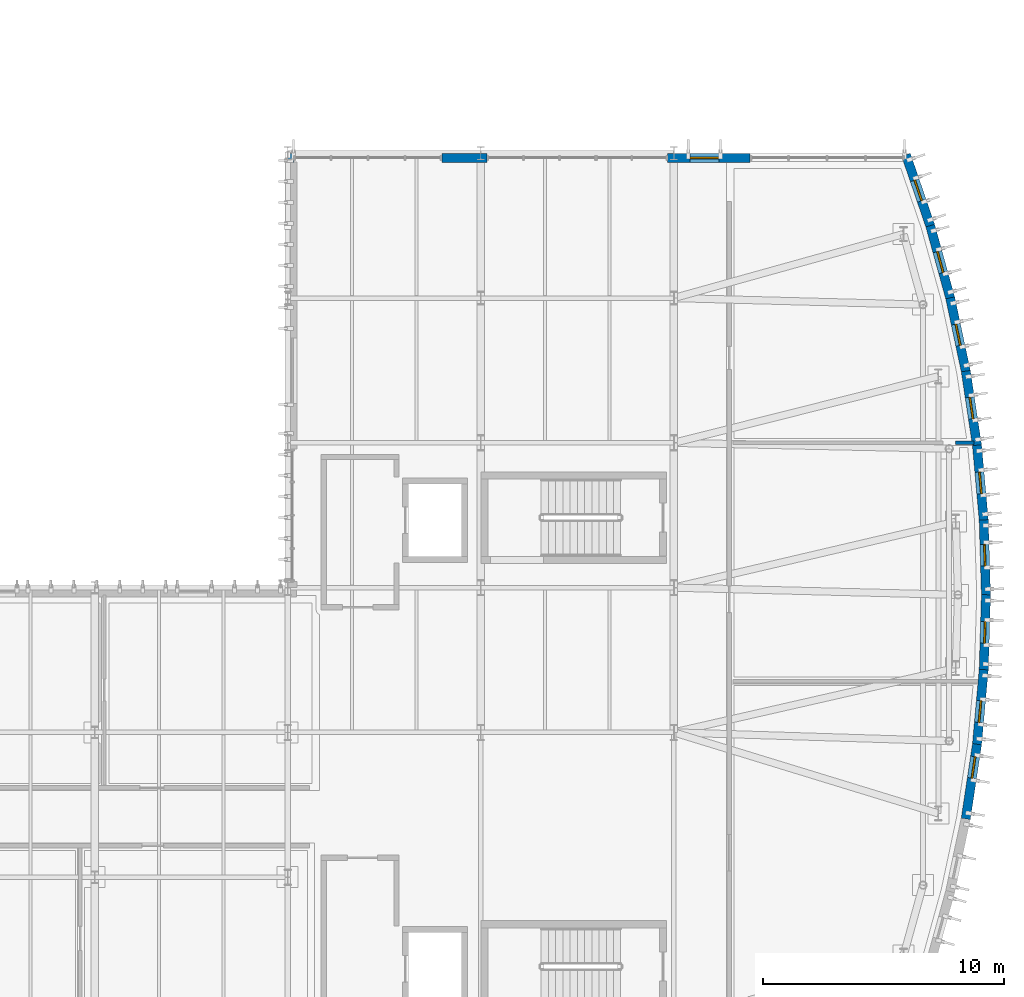
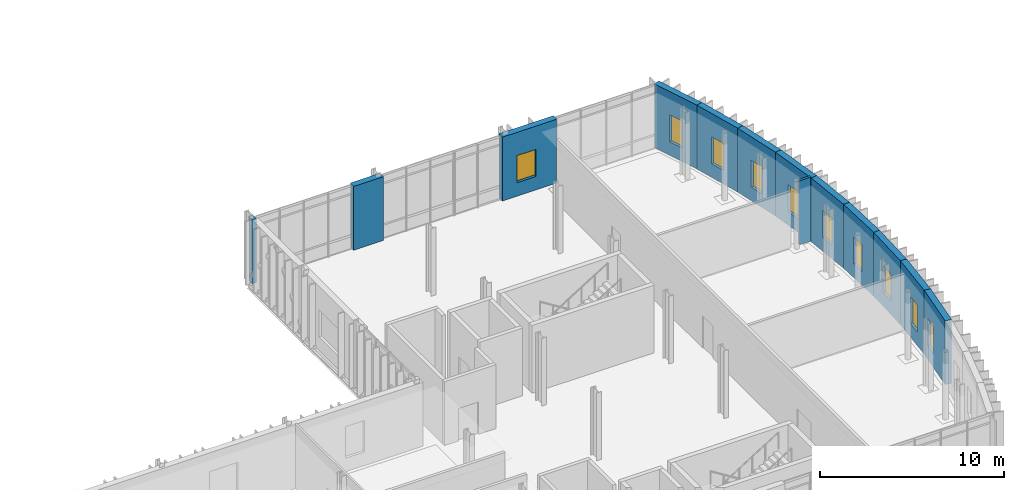
# One storey, part 73 of 100: 13 walls, 10 windows, 10 openings.
"""IFC4 building model written with IfcOpenShell, lengths in metres."""

from ifc_helpers import new_model, si_unit, direction, frame, frame_2d, origin, place, context, subcontext, project, spatial, rectangle, extrude, material, layer, layer_set, type_object, element, fill, save


model = new_model("IFC4")

# Units and contexts
model_context = context("Model", 3, precision=1e-05, world=origin(), true_north=direction((0.0, 1.0)))
body_context = subcontext(model_context, "Body", "Model", "MODEL_VIEW")
ifc_project = project(units=[si_unit("LENGTHUNIT", "METRE"), si_unit("AREAUNIT", "SQUARE_METRE"), si_unit("VOLUMEUNIT", "CUBIC_METRE"), si_unit("PLANEANGLEUNIT", "RADIAN"), si_unit("MASSUNIT", "GRAM", prefix="KILO")], contexts=[model_context])

# Site, building, storey
site_placement = place(None, origin())
site = spatial("IfcSite", under=ifc_project, at=site_placement, CompositionType="ELEMENT")
building_placement = place(site_placement, origin())
building = spatial("IfcBuilding", under=site, at=building_placement, Name="Cymarion Research Institute", CompositionType="ELEMENT")
storey_placement = place(building_placement, frame((0.0, 0.0, 4.800048828125)))
storey = spatial("IfcBuildingStorey", under=building, at=storey_placement, Name="L01", CompositionType="ELEMENT", Elevation=4.800048828125)

# Wall, opening, window
ifc_material_1 = material(Name="Precast concrete C40/50", Category="concrete")
ifc_layer_1 = layer(ifc_material_1, 0.3798828125)
ifc_layer_set_1 = layer_set([ifc_layer_1], Name="Precast concrete C40/50")
wall_type_1 = type_object("IfcWallType", Name="EXTERIOR WALL EW-PC380 380MM", PredefinedType="SOLIDWALL", material=ifc_layer_set_1)
wall_1_placement = place(storey_placement, frame((166.698486328125, 13.91650390625, 0.0), z_axis=(0.0, 0.0, 1.0), x_axis=(0.149218139282, 0.988804301624, 0.0)))
wall_1 = element("IfcWall", 1, at=wall_1_placement, inside=storey, type_object=wall_type_1, Name="L01 V1 exterior wall EW-PC380 #79", PredefinedType="SOLIDWALL", context=body_context, shape_type="SweptSolid", body=[
    extrude(rectangle(XDim=3.128173828125, YDim=0.3798828125, at=frame_2d((1.56396484375, 0.0))), origin(), (0.0, 0.0, 1.0), 4.25),
])
opening_1_placement = place(wall_1_placement, frame((1.7060546875, 0.0, 0.89990234375)))
opening_1 = element("IfcOpeningElement", 2, at=opening_1_placement, cuts=wall_1, Name="Opening W24", PredefinedType="OPENING", context=body_context, shape_type="SweptSolid", body=[
    extrude(rectangle(XDim=0.89990234375, YDim=1.800048828125, at=frame_2d((0.449951171875, 0.89990234375))), frame((0.0, 0.199951171875, 0.0), z_axis=(0.0, -1.0, 0.0), x_axis=(1.0, 0.0, 0.0)), (0.0, 0.0, 1.0), 0.39990234375),
])
ifc_material_2 = material(Name="Thermally broken aluminium window with Low-E glazing", Category="aluminium")
window_type_1 = type_object("IfcWindowType", Name="THERMALLY BROKEN ALUMINIUM WINDOW W24 900X1800", PartitioningType="SINGLE_PANEL", PredefinedType="WINDOW", material=ifc_material_2)
window_1_placement = place(opening_1_placement, origin())
window_1 = element("IfcWindow", 3, at=window_1_placement, inside=storey, type_object=window_type_1, Name="L01 V1 facade window W24 #150", OverallHeight=1.800048828125, OverallWidth=0.89990234375, PartitioningType="SINGLE_PANEL", PredefinedType="WINDOW", context=body_context, shape_type="SweptSolid", body=[
    extrude(rectangle(XDim=0.89990234375, YDim=1.800048828125, at=frame_2d((0.449951171875, 0.89990234375))), frame((0.0, 0.030029296875, 0.0), z_axis=(0.0, -1.0, 0.0), x_axis=(1.0, 0.0, 0.0)), (0.0, 0.0, 1.0), 0.06005859375),
])
fill(opening_1, window_1)

wall_2_placement = place(storey_placement, frame((167.1630859375, 16.986572265625, 0.0), z_axis=(0.0, 0.0, 1.0), x_axis=(0.089747627339, 0.995964539222, 0.0)))
wall_2 = element("IfcWall", 4, at=wall_2_placement, inside=storey, type_object=wall_type_1, Name="L01 V1 exterior wall EW-PC380 #80", PredefinedType="SOLIDWALL", context=body_context, shape_type="SweptSolid", body=[
    extrude(rectangle(XDim=3.12841796875, YDim=0.3798828125, at=frame_2d((1.564208984375, 0.0))), origin(), (0.0, 0.0, 1.0), 4.25),
])
opening_2_placement = place(wall_2_placement, frame((0.927978515625, 0.0, 0.89990234375)))
opening_2 = element("IfcOpeningElement", 5, at=opening_2_placement, cuts=wall_2, Name="Opening W24", PredefinedType="OPENING", context=body_context, shape_type="SweptSolid", body=[
    extrude(rectangle(XDim=0.89990234375, YDim=1.800048828125, at=frame_2d((0.449951171875, 0.89990234375))), frame((0.0, 0.199951171875, 0.0), z_axis=(0.0, -1.0, 0.0), x_axis=(1.0, 0.0, 0.0)), (0.0, 0.0, 1.0), 0.39990234375),
])
window_2_placement = place(opening_2_placement, origin())
window_2 = element("IfcWindow", 6, at=window_2_placement, inside=storey, type_object=window_type_1, Name="L01 V1 facade window W24 #151", OverallHeight=1.800048828125, OverallWidth=0.89990234375, PartitioningType="SINGLE_PANEL", PredefinedType="WINDOW", context=body_context, shape_type="SweptSolid", body=[
    extrude(rectangle(XDim=0.89990234375, YDim=1.800048828125, at=frame_2d((0.449951171875, 0.89990234375))), frame((0.0, 0.030029296875, 0.0), z_axis=(0.0, -1.0, 0.0), x_axis=(1.0, 0.0, 0.0)), (0.0, 0.0, 1.0), 0.06005859375),
])
fill(opening_2, window_2)

wall_3_placement = place(storey_placement, frame((167.44287109375, 20.078857421875, 0.0), z_axis=(0.0, 0.0, 1.0), x_axis=(0.02996779607, 0.999550864738, 0.0)))
wall_3 = element("IfcWall", 7, at=wall_3_placement, inside=storey, type_object=wall_type_1, Name="L01 V1 exterior wall EW-PC380 #81", PredefinedType="SOLIDWALL", context=body_context, shape_type="SweptSolid", body=[
    extrude(rectangle(XDim=3.12841796875, YDim=0.3798828125, at=frame_2d((1.564208984375, 0.0))), origin(), (0.0, 0.0, 1.0), 4.25),
])
opening_3_placement = place(wall_3_placement, frame((1.114013671875, 0.0, 0.89990234375)))
opening_3 = element("IfcOpeningElement", 8, at=opening_3_placement, cuts=wall_3, Name="Opening W24", PredefinedType="OPENING", context=body_context, shape_type="SweptSolid", body=[
    extrude(rectangle(XDim=0.89990234375, YDim=1.800048828125, at=frame_2d((0.449951171875, 0.89990234375))), frame((0.0, 0.199951171875, 0.0), z_axis=(0.0, -1.0, 0.0), x_axis=(1.0, 0.0, 0.0)), (0.0, 0.0, 1.0), 0.39990234375),
])
window_3_placement = place(opening_3_placement, origin())
window_3 = element("IfcWindow", 9, at=window_3_placement, inside=storey, type_object=window_type_1, Name="L01 V1 facade window W24 #152", OverallHeight=1.800048828125, OverallWidth=0.89990234375, PartitioningType="SINGLE_PANEL", PredefinedType="WINDOW", context=body_context, shape_type="SweptSolid", body=[
    extrude(rectangle(XDim=0.89990234375, YDim=1.800048828125, at=frame_2d((0.449951171875, 0.89990234375))), frame((0.0, 0.030029296875, 0.0), z_axis=(0.0, -1.0, 0.0), x_axis=(1.0, 0.0, 0.0)), (0.0, 0.0, 1.0), 0.06005859375),
])
fill(opening_3, window_3)

wall_4_placement = place(storey_placement, frame((167.536865234375, 23.182373046875, 0.0), z_axis=(0.0, 0.0, 1.0), x_axis=(-0.029970133922, 0.999550794644, 0.0)))
wall_4 = element("IfcWall", 10, at=wall_4_placement, inside=storey, type_object=wall_type_1, Name="L01 V1 exterior wall EW-PC380 #82", PredefinedType="SOLIDWALL", context=body_context, shape_type="SweptSolid", body=[
    extrude(rectangle(XDim=3.128173828125, YDim=0.3798828125, at=frame_2d((1.56396484375, 0.0))), origin(), (0.0, 0.0, 1.0), 4.25),
])
opening_4_placement = place(wall_4_placement, frame((1.214111328125, 0.0, 0.89990234375)))
opening_4 = element("IfcOpeningElement", 11, at=opening_4_placement, cuts=wall_4, Name="Opening W24", PredefinedType="OPENING", context=body_context, shape_type="SweptSolid", body=[
    extrude(rectangle(XDim=0.89990234375, YDim=1.800048828125, at=frame_2d((0.449951171875, 0.89990234375))), frame((0.0, 0.199951171875, 0.0), z_axis=(0.0, -1.0, 0.0), x_axis=(1.0, 0.0, 0.0)), (0.0, 0.0, 1.0), 0.39990234375),
])
window_4_placement = place(opening_4_placement, origin())
window_4 = element("IfcWindow", 12, at=window_4_placement, inside=storey, type_object=window_type_1, Name="L01 V1 facade window W24 #153", OverallHeight=1.800048828125, OverallWidth=0.89990234375, PartitioningType="SINGLE_PANEL", PredefinedType="WINDOW", context=body_context, shape_type="SweptSolid", body=[
    extrude(rectangle(XDim=0.89990234375, YDim=1.800048828125, at=frame_2d((0.449951171875, 0.89990234375))), frame((0.0, 0.030029296875, 0.0), z_axis=(0.0, -1.0, 0.0), x_axis=(1.0, 0.0, 0.0)), (0.0, 0.0, 1.0), 0.06005859375),
])
fill(opening_4, window_4)

wall_5_placement = place(storey_placement, frame((167.44482421875, 26.285888671875, 0.0), z_axis=(0.0, 0.0, 1.0), x_axis=(-0.089747627339, 0.995964539222, 0.0)))
wall_5 = element("IfcWall", 13, at=wall_5_placement, inside=storey, type_object=wall_type_1, Name="L01 V1 exterior wall EW-PC380 #83", PredefinedType="SOLIDWALL", context=body_context, shape_type="SweptSolid", body=[
    extrude(rectangle(XDim=3.12841796875, YDim=0.3798828125, at=frame_2d((1.564208984375, 0.0))), origin(), (0.0, 0.0, 1.0), 4.25),
])
opening_5_placement = place(wall_5_placement, frame((1.114013671875, 0.0, 0.89990234375)))
opening_5 = element("IfcOpeningElement", 14, at=opening_5_placement, cuts=wall_5, Name="Opening W24", PredefinedType="OPENING", context=body_context, shape_type="SweptSolid", body=[
    extrude(rectangle(XDim=0.89990234375, YDim=1.800048828125, at=frame_2d((0.449951171875, 0.89990234375))), frame((0.0, 0.199951171875, 0.0), z_axis=(0.0, -1.0, 0.0), x_axis=(1.0, 0.0, 0.0)), (0.0, 0.0, 1.0), 0.39990234375),
])
window_5_placement = place(opening_5_placement, origin())
window_5 = element("IfcWindow", 15, at=window_5_placement, inside=storey, type_object=window_type_1, Name="L01 V1 facade window W24 #154", OverallHeight=1.800048828125, OverallWidth=0.89990234375, PartitioningType="SINGLE_PANEL", PredefinedType="WINDOW", context=body_context, shape_type="SweptSolid", body=[
    extrude(rectangle(XDim=0.89990234375, YDim=1.800048828125, at=frame_2d((0.449951171875, 0.89990234375))), frame((0.0, 0.030029296875, 0.0), z_axis=(0.0, -1.0, 0.0), x_axis=(1.0, 0.0, 0.0)), (0.0, 0.0, 1.0), 0.06005859375),
])
fill(opening_5, window_5)

wall_6_placement = place(storey_placement, frame((167.167236328125, 29.37841796875, 0.0), z_axis=(0.0, 0.0, 1.0), x_axis=(-0.149305964746, 0.988791044099, 0.0)))
wall_6 = element("IfcWall", 16, at=wall_6_placement, inside=storey, type_object=wall_type_1, Name="L01 V1 exterior wall EW-PC380 #84", PredefinedType="SOLIDWALL", context=body_context, shape_type="SweptSolid", body=[
    extrude(rectangle(XDim=3.128173828125, YDim=0.3798828125, at=frame_2d((1.56396484375, 0.0))), origin(), (0.0, 0.0, 1.0), 4.25),
])
opening_6_placement = place(wall_6_placement, frame((1.132080078125, 0.0, 0.89990234375)))
opening_6 = element("IfcOpeningElement", 17, at=opening_6_placement, cuts=wall_6, Name="Opening W24", PredefinedType="OPENING", context=body_context, shape_type="SweptSolid", body=[
    extrude(rectangle(XDim=0.89990234375, YDim=1.800048828125, at=frame_2d((0.449951171875, 0.89990234375))), frame((0.0, 0.199951171875, 0.0), z_axis=(0.0, -1.0, 0.0), x_axis=(1.0, 0.0, 0.0)), (0.0, 0.0, 1.0), 0.39990234375),
])
window_6_placement = place(opening_6_placement, origin())
window_6 = element("IfcWindow", 18, at=window_6_placement, inside=storey, type_object=window_type_1, Name="L01 V1 facade window W24 #155", OverallHeight=1.800048828125, OverallWidth=0.89990234375, PartitioningType="SINGLE_PANEL", PredefinedType="WINDOW", context=body_context, shape_type="SweptSolid", body=[
    extrude(rectangle(XDim=0.89990234375, YDim=1.800048828125, at=frame_2d((0.449951171875, 0.89990234375))), frame((0.0, 0.030029296875, 0.0), z_axis=(0.0, -1.0, 0.0), x_axis=(1.0, 0.0, 0.0)), (0.0, 0.0, 1.0), 0.06005859375),
])
fill(opening_6, window_6)

wall_7_placement = place(storey_placement, frame((166.704833984375, 32.448486328125, 0.0), z_axis=(0.0, 0.0, 1.0), x_axis=(-0.208212486116, 0.978083616377, 0.0)))
wall_7 = element("IfcWall", 19, at=wall_7_placement, inside=storey, type_object=wall_type_1, Name="L01 V1 exterior wall EW-PC380 #85", PredefinedType="SOLIDWALL", context=body_context, shape_type="SweptSolid", body=[
    extrude(rectangle(XDim=3.12841796875, YDim=0.3798828125, at=frame_2d((1.564208984375, 0.0))), origin(), (0.0, 0.0, 1.0), 4.25),
])
opening_7_placement = place(wall_7_placement, frame((1.114013671875, 0.0, 0.89990234375)))
opening_7 = element("IfcOpeningElement", 20, at=opening_7_placement, cuts=wall_7, Name="Opening W24", PredefinedType="OPENING", context=body_context, shape_type="SweptSolid", body=[
    extrude(rectangle(XDim=0.89990234375, YDim=1.800048828125, at=frame_2d((0.449951171875, 0.89990234375))), frame((0.0, 0.199951171875, 0.0), z_axis=(0.0, -1.0, 0.0), x_axis=(1.0, 0.0, 0.0)), (0.0, 0.0, 1.0), 0.39990234375),
])
window_7_placement = place(opening_7_placement, origin())
window_7 = element("IfcWindow", 21, at=window_7_placement, inside=storey, type_object=window_type_1, Name="L01 V1 facade window W24 #156", OverallHeight=1.800048828125, OverallWidth=0.89990234375, PartitioningType="SINGLE_PANEL", PredefinedType="WINDOW", context=body_context, shape_type="SweptSolid", body=[
    extrude(rectangle(XDim=0.89990234375, YDim=1.800048828125, at=frame_2d((0.449951171875, 0.89990234375))), frame((0.0, 0.030029296875, 0.0), z_axis=(0.0, -1.0, 0.0), x_axis=(1.0, 0.0, 0.0)), (0.0, 0.0, 1.0), 0.06005859375),
])
fill(opening_7, window_7)

wall_8_placement = place(storey_placement, frame((166.059326171875, 35.485595703125, 0.0), z_axis=(0.0, 0.0, 1.0), x_axis=(-0.26649659626, 0.963835859564, 0.0)))
wall_8 = element("IfcWall", 22, at=wall_8_placement, inside=storey, type_object=wall_type_1, Name="L01 V1 exterior wall EW-PC380 #86", PredefinedType="SOLIDWALL", context=body_context, shape_type="SweptSolid", body=[
    extrude(rectangle(XDim=3.12841796875, YDim=0.3798828125, at=frame_2d((1.564208984375, 0.0))), origin(), (0.0, 0.0, 1.0), 4.25),
])
opening_8_placement = place(wall_8_placement, frame((1.114013671875, 0.0, 0.89990234375)))
opening_8 = element("IfcOpeningElement", 23, at=opening_8_placement, cuts=wall_8, Name="Opening W24", PredefinedType="OPENING", context=body_context, shape_type="SweptSolid", body=[
    extrude(rectangle(XDim=0.89990234375, YDim=1.800048828125, at=frame_2d((0.449951171875, 0.89990234375))), frame((0.0, 0.199951171875, 0.0), z_axis=(0.0, -1.0, 0.0), x_axis=(1.0, 0.0, 0.0)), (0.0, 0.0, 1.0), 0.39990234375),
])
window_8_placement = place(opening_8_placement, origin())
window_8 = element("IfcWindow", 24, at=window_8_placement, inside=storey, type_object=window_type_1, Name="L01 V1 facade window W24 #157", OverallHeight=1.800048828125, OverallWidth=0.89990234375, PartitioningType="SINGLE_PANEL", PredefinedType="WINDOW", context=body_context, shape_type="SweptSolid", body=[
    extrude(rectangle(XDim=0.89990234375, YDim=1.800048828125, at=frame_2d((0.449951171875, 0.89990234375))), frame((0.0, 0.030029296875, 0.0), z_axis=(0.0, -1.0, 0.0), x_axis=(1.0, 0.0, 0.0)), (0.0, 0.0, 1.0), 0.06005859375),
])
fill(opening_8, window_8)

wall_9_placement = place(storey_placement, frame((165.23291015625, 38.478515625, 0.0), z_axis=(0.0, 0.0, 1.0), x_axis=(-0.323709741108, 0.946156437124, 0.0)))
wall_9 = element("IfcWall", 25, at=wall_9_placement, inside=storey, type_object=wall_type_1, Name="L01 V1 exterior wall EW-PC380 #87", PredefinedType="SOLIDWALL", context=body_context, shape_type="SweptSolid", body=[
    extrude(rectangle(XDim=3.12841796875, YDim=0.3798828125, at=frame_2d((1.564208984375, 0.0))), origin(), (0.0, 0.0, 1.0), 4.25),
])
opening_9_placement = place(wall_9_placement, frame((1.114013671875, 0.0, 0.89990234375)))
opening_9 = element("IfcOpeningElement", 26, at=opening_9_placement, cuts=wall_9, Name="Opening W24", PredefinedType="OPENING", context=body_context, shape_type="SweptSolid", body=[
    extrude(rectangle(XDim=0.89990234375, YDim=1.800048828125, at=frame_2d((0.449951171875, 0.89990234375))), frame((0.0, 0.199951171875, 0.0), z_axis=(0.0, -1.0, 0.0), x_axis=(1.0, 0.0, 0.0)), (0.0, 0.0, 1.0), 0.39990234375),
])
window_9_placement = place(opening_9_placement, origin())
window_9 = element("IfcWindow", 27, at=window_9_placement, inside=storey, type_object=window_type_1, Name="L01 V1 facade window W24 #158", OverallHeight=1.800048828125, OverallWidth=0.89990234375, PartitioningType="SINGLE_PANEL", PredefinedType="WINDOW", context=body_context, shape_type="SweptSolid", body=[
    extrude(rectangle(XDim=0.89990234375, YDim=1.800048828125, at=frame_2d((0.449951171875, 0.89990234375))), frame((0.0, 0.030029296875, 0.0), z_axis=(0.0, -1.0, 0.0), x_axis=(1.0, 0.0, 0.0)), (0.0, 0.0, 1.0), 0.06005859375),
])
fill(opening_9, window_9)

wall_10_placement = place(storey_placement, frame((157.759765625, 41.31005859375, 0.0), z_axis=(0.0, 0.0, 1.0), x_axis=(-1.0, 0.0, 0.0)))
wall_10 = element("IfcWall", 28, at=wall_10_placement, inside=storey, type_object=wall_type_1, Name="L01 V1 facade pier wall EW-PC380 #88", PredefinedType="SOLIDWALL", context=body_context, shape_type="SweptSolid", body=[
    extrude(rectangle(XDim=3.419677734375, YDim=0.3798828125, at=frame_2d((1.7099609375, 0.0))), origin(), (0.0, 0.0, 1.0), 4.25),
])
opening_10_placement = place(wall_10_placement, frame((1.2900390625, 0.0, 0.89990234375)))
opening_10 = element("IfcOpeningElement", 29, at=opening_10_placement, cuts=wall_10, Name="Opening W01", PredefinedType="OPENING", context=body_context, shape_type="SweptSolid", body=[
    extrude(rectangle(XDim=1.199951171875, YDim=1.800048828125, at=frame_2d((0.60009765625, 0.89990234375))), frame((0.0, 0.199951171875, 0.0), z_axis=(0.0, -1.0, 0.0), x_axis=(1.0, 0.0, 0.0)), (0.0, 0.0, 1.0), 0.39990234375),
])
window_type_2 = type_object("IfcWindowType", Name="THERMALLY BROKEN ALUMINIUM WINDOW W01 1200X1800", PartitioningType="SINGLE_PANEL", PredefinedType="WINDOW", material=ifc_material_2)
window_10_placement = place(opening_10_placement, origin())
window_10 = element("IfcWindow", 30, at=window_10_placement, inside=storey, type_object=window_type_2, Name="L01 V1 facade window W01 #159", OverallHeight=1.800048828125, OverallWidth=1.199951171875, PartitioningType="SINGLE_PANEL", PredefinedType="WINDOW", context=body_context, shape_type="SweptSolid", body=[
    extrude(rectangle(XDim=1.199951171875, YDim=1.800048828125, at=frame_2d((0.60009765625, 0.89990234375))), frame((0.0, 0.030029296875, 0.0), z_axis=(0.0, -1.0, 0.0), x_axis=(1.0, 0.0, 0.0)), (0.0, 0.0, 1.0), 0.06005859375),
])
fill(opening_10, window_10)

# Walls
wall_11_placement = place(storey_placement, frame((146.860107421875, 41.31005859375, 0.0), z_axis=(0.0, 0.0, 1.0), x_axis=(-1.0, 0.0, 0.0)))
element("IfcWall", 31, at=wall_11_placement, inside=storey, type_object=wall_type_1, Name="L01 V1 facade pier wall EW-PC380 #89", PredefinedType="SOLIDWALL", context=body_context, shape_type="SweptSolid", body=[
    extrude(rectangle(XDim=1.87353515625, YDim=0.3798828125, at=frame_2d((0.936767578125, 0.0))), origin(), (0.0, 0.0, 1.0), 4.25),
])
wall_12_placement = place(storey_placement, frame((138.860107421875, 41.31005859375, 0.0), z_axis=(0.0, 0.0, 1.0), x_axis=(-1.0, 0.0, 0.0)))
element("IfcWall", 32, at=wall_12_placement, inside=storey, type_object=wall_type_1, Name="L01 V1 facade pier wall EW-PC380 #90", PredefinedType="SOLIDWALL", context=body_context, shape_type="SweptSolid", body=[
    extrude(rectangle(XDim=0.260009765625, YDim=0.3798828125, at=frame_2d((0.1298828125, 0.0))), origin(), (0.0, 0.0, 1.0), 4.25),
])
ifc_material_3 = material(Name="Gypsum acoustic double-stud partition", Category="gypsum")
ifc_layer_2 = layer(ifc_material_3, 0.14990234375)
ifc_layer_set_2 = layer_set([ifc_layer_2], Name="Gypsum acoustic double-stud partition")
wall_type_2 = type_object("IfcWallType", Name="INTERIOR PARTITION IW-AC150 150MM", PredefinedType="PARTITIONING", material=ifc_layer_set_2)
wall_13_placement = place(storey_placement, frame((166.262939453125, 29.5, 0.0), z_axis=(0.0, 0.0, 1.0), x_axis=(1.0, 0.0, 0.0)))
element("IfcWall", 33, at=wall_13_placement, inside=storey, type_object=wall_type_2, Name="L01 V1 interior partition IW-AC150 #119", PredefinedType="PARTITIONING", context=body_context, shape_type="SweptSolid", body=[
    extrude(rectangle(XDim=0.769775390625, YDim=0.14990234375, at=frame_2d((0.384765625, 0.0))), origin(), (0.0, 0.0, 1.0), 4.25),
])

save(model, "model.ifc")
